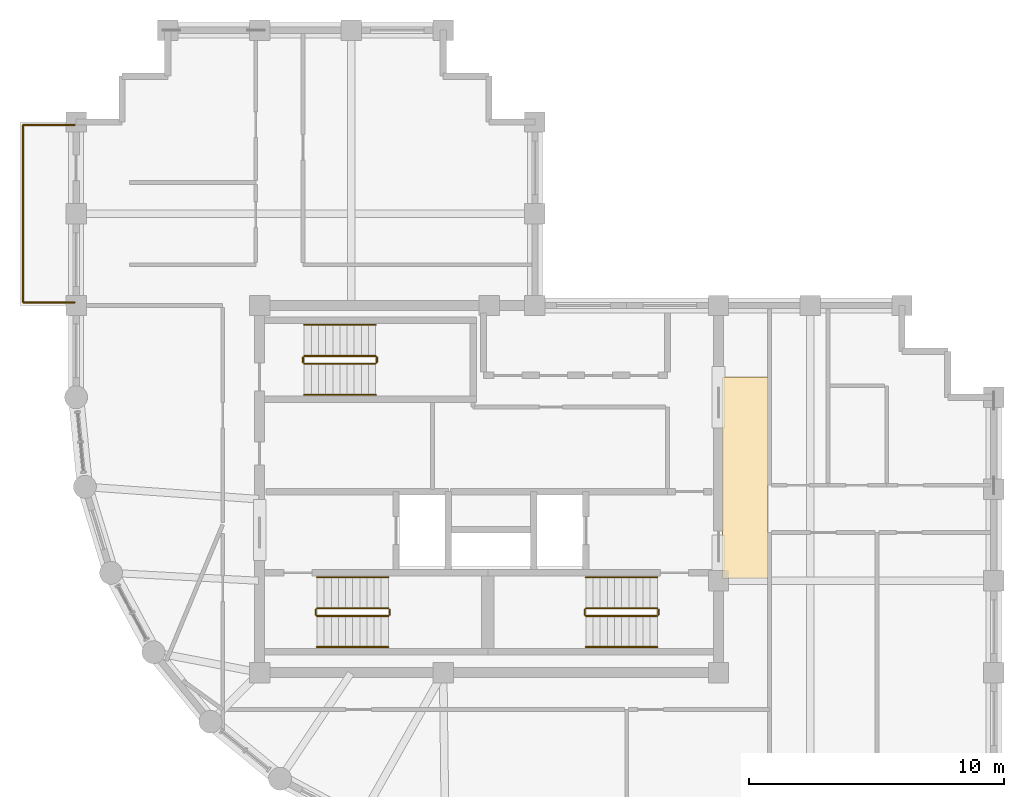
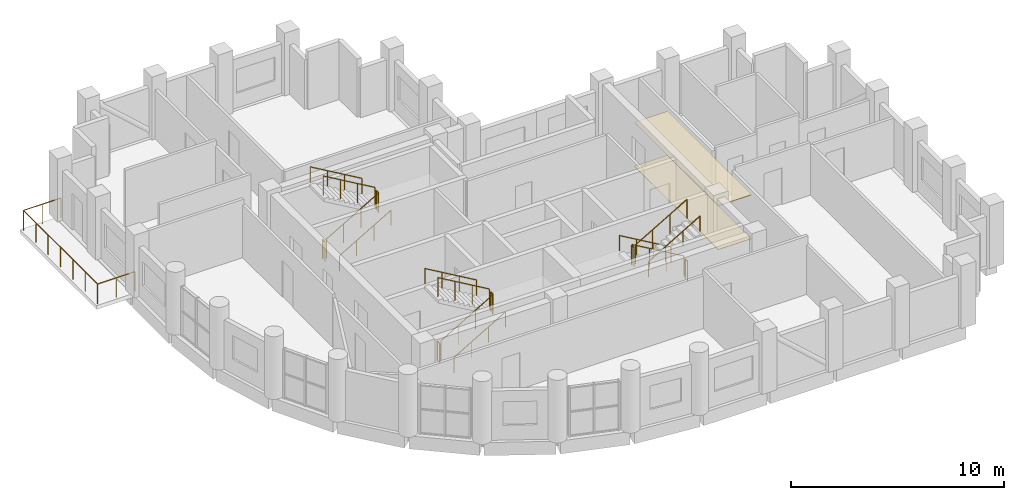
# One storey, part 11 of 11: 21 railings, 2 coverings.
"""IFC4 building model written with IfcOpenShell, lengths in metres."""

from ifc_helpers import new_model, si_unit, direction, frame, origin, origin_2d, place, context, subcontext, project, spatial, polyline, circle, outline, extrude, material, layer, layer_set, type_object, element, save


model = new_model("IFC4")

# Units and contexts
model_context = context("Model", 3, precision=1e-05, world=origin(), true_north=direction((0.0, 1.0)))
body_context = subcontext(model_context, "Body", "Model", "MODEL_VIEW")
ifc_project = project(units=[si_unit("LENGTHUNIT", "METRE"), si_unit("AREAUNIT", "SQUARE_METRE"), si_unit("VOLUMEUNIT", "CUBIC_METRE"), si_unit("PLANEANGLEUNIT", "RADIAN"), si_unit("MASSUNIT", "GRAM", prefix="KILO")], contexts=[model_context])

# Site, building, storey
site_placement = place(None, origin())
site = spatial("IfcSite", under=ifc_project, at=site_placement, CompositionType="ELEMENT")
building_placement = place(site_placement, origin())
building = spatial("IfcBuilding", under=site, at=building_placement, Name="Solnavia Interchange Tower", CompositionType="ELEMENT")
storey_placement = place(building_placement, frame((0.0, 0.0, 263.0)))
storey = spatial("IfcBuildingStorey", under=building, at=storey_placement, Name="L66", CompositionType="ELEMENT", Elevation=263.0)

# Coverings
ifc_material_1 = material(Name="Perforated Mineral-Fibre & Gypsum Ceiling", Category="gypsum")
ifc_layer_1 = layer(ifc_material_1, 0.0400390625)
ifc_layer_set_1 = layer_set([ifc_layer_1], Name="Perforated Mineral-Fibre & Gypsum Ceiling")
covering_type_1 = type_object("IfcCoveringType", Name="Covering-Ceiling-Acoustic40", PredefinedType="CEILING", material=ifc_layer_set_1)
covering_1_placement = place(storey_placement, frame((0.0, 0.0, 2.5)))
element("IfcCovering", 1, at=covering_1_placement, inside=storey, type_object=covering_type_1, Name="CLG-L66-01 Circulation suspended acoustic ceiling", PredefinedType="CEILING", context=body_context, shape_type="SweptSolid", body=[
    extrude(outline(polyline([(32.550048828125, 14.5), (34.35009765625, 14.5), (34.35009765625, 22.39990234375), (32.550048828125, 22.39990234375), (32.550048828125, 14.5)])), origin(), (0.0, 0.0, 1.0), 0.0400390625),
])
ifc_material_2 = material(Name="Engineered European Oak Flooring", Category="wood")
ifc_layer_2 = layer(ifc_material_2, 0.02001953125)
ifc_layer_set_2 = layer_set([ifc_layer_2], Name="Engineered European Oak Flooring")
covering_type_2 = type_object("IfcCoveringType", Name="Covering-Flooring-Timber20", PredefinedType="FLOORING", material=ifc_layer_set_2)
covering_2_placement = place(storey_placement, origin())
element("IfcCovering", 2, at=covering_2_placement, inside=storey, type_object=covering_type_2, Name="FLR-L66-01 Circulation floor finish", PredefinedType="FLOORING", context=body_context, shape_type="SweptSolid", body=[
    extrude(outline(polyline([(32.550048828125, 14.5), (34.35009765625, 14.5), (34.35009765625, 22.39990234375), (32.550048828125, 22.39990234375), (32.550048828125, 14.5)])), origin(), (0.0, 0.0, 1.0), 0.02001953125),
])

# Railings
ifc_material_3 = material(Name="Painted Steel Balustrade", Category="steel")
railing_type_1 = type_object("IfcRailingType", Name="Railing-StairGuard-1100", PredefinedType="GUARDRAIL", material=ifc_material_3)
railing_1_placement = place(storey_placement, frame((16.64990234375, 13.02001953125, 0.16357421875)))
element("IfcRailing", 3, at=railing_1_placement, inside=storey, type_object=railing_type_1, Name="L66 ST-1 stair guard 1", PredefinedType="GUARDRAIL", context=body_context, shape_type="SweptSolid", body=[
    extrude(circle(Radius=0.02392578125, at=origin_2d()), frame((0.0, 0.0, 1.09619140625), z_axis=(0.863360870873, 0.0, 0.504586966384), x_axis=(0.0, 1.0, 0.0)), (0.0, 0.0, 1.0), 3.2431640625),
    extrude(circle(Radius=0.02099609375, at=origin_2d()), origin(), (0.0, 0.0, 1.0), 1.072021484375),
    extrude(circle(Radius=0.02099609375, at=origin_2d()), frame((0.933349609375, 0.0, 0.54541015625)), (0.0, 0.0, 1.0), 1.072021484375),
    extrude(circle(Radius=0.02099609375, at=origin_2d()), frame((1.86669921875, 0.0, 1.091064453125)), (0.0, 0.0, 1.0), 1.072021484375),
    extrude(circle(Radius=0.02099609375, at=origin_2d()), frame((2.800048828125, 0.0, 1.636474609375)), (0.0, 0.0, 1.0), 1.072021484375),
])
railing_2_placement = place(storey_placement, frame((19.5, 13.070068359375, 1.800048828125)))
element("IfcRailing", 4, at=railing_2_placement, inside=storey, type_object=railing_type_1, Name="L66 ST-1 stair guard 2", PredefinedType="GUARDRAIL", context=body_context, shape_type="SweptSolid", body=[
    extrude(circle(Radius=0.02392578125, at=origin_2d()), frame((0.0, 0.0, 1.09619140625), z_axis=(0.0, 1.0, 0.0), x_axis=(-1.0, 0.0, 0.0)), (0.0, 0.0, 1.0), 0.199951171875),
    extrude(circle(Radius=0.02099609375, at=origin_2d()), origin(), (0.0, 0.0, 1.0), 1.072021484375),
    extrude(circle(Radius=0.02099609375, at=origin_2d()), frame((0.0, 0.199951171875, 0.0)), (0.0, 0.0, 1.0), 1.072021484375),
])
railing_3_placement = place(storey_placement, frame((19.449951171875, 13.320068359375, 1.963623046875)))
element("IfcRailing", 5, at=railing_3_placement, inside=storey, type_object=railing_type_1, Name="L66 ST-1 stair guard 3", PredefinedType="GUARDRAIL", context=body_context, shape_type="SweptSolid", body=[
    extrude(circle(Radius=0.02392578125, at=origin_2d()), frame((0.0, 0.0, 1.09619140625), z_axis=(-0.863360870873, 0.0, 0.504586966384), x_axis=(0.0, -1.0, 0.0)), (0.0, 0.0, 1.0), 3.2431640625),
    extrude(circle(Radius=0.02099609375, at=origin_2d()), origin(), (0.0, 0.0, 1.0), 1.072021484375),
    extrude(circle(Radius=0.02099609375, at=origin_2d()), frame((-0.933349609375, 0.0, 0.54541015625)), (0.0, 0.0, 1.0), 1.072021484375),
    extrude(circle(Radius=0.02099609375, at=origin_2d()), frame((-1.86669921875, 0.0, 1.091064453125)), (0.0, 0.0, 1.0), 1.072021484375),
    extrude(circle(Radius=0.02099609375, at=origin_2d()), frame((-2.800048828125, 0.0, 1.636474609375)), (0.0, 0.0, 1.0), 1.072021484375),
])
railing_4_placement = place(storey_placement, frame((16.60009765625, 13.070068359375, 0.0)))
element("IfcRailing", 6, at=railing_4_placement, inside=storey, type_object=railing_type_1, Name="L66 ST-1 stair guard 4", PredefinedType="GUARDRAIL", context=body_context, shape_type="SweptSolid", body=[
    extrude(circle(Radius=0.02392578125, at=origin_2d()), frame((0.0, 0.0, 1.09619140625), z_axis=(0.0, 1.0, 0.0), x_axis=(-1.0, 0.0, 0.0)), (0.0, 0.0, 1.0), 0.199951171875),
    extrude(circle(Radius=0.02099609375, at=origin_2d()), origin(), (0.0, 0.0, 1.0), 1.072021484375),
    extrude(circle(Radius=0.02099609375, at=origin_2d()), frame((0.0, 0.199951171875, 0.0)), (0.0, 0.0, 1.0), 1.072021484375),
])
railing_5_placement = place(storey_placement, frame((30.0, 13.320068359375, 0.16357421875)))
element("IfcRailing", 7, at=railing_5_placement, inside=storey, type_object=railing_type_1, Name="L66 ST-2 stair guard 1", PredefinedType="GUARDRAIL", context=body_context, shape_type="SweptSolid", body=[
    extrude(circle(Radius=0.02392578125, at=origin_2d()), frame((0.0, 0.0, 1.09619140625), z_axis=(-0.863360870873, 0.0, 0.504586966384), x_axis=(0.0, -1.0, 0.0)), (0.0, 0.0, 1.0), 3.2431640625),
    extrude(circle(Radius=0.02099609375, at=origin_2d()), origin(), (0.0, 0.0, 1.0), 1.072021484375),
    extrude(circle(Radius=0.02099609375, at=origin_2d()), frame((-0.933349609375, 0.0, 0.54541015625)), (0.0, 0.0, 1.0), 1.072021484375),
    extrude(circle(Radius=0.02099609375, at=origin_2d()), frame((-1.86669921875, 0.0, 1.091064453125)), (0.0, 0.0, 1.0), 1.072021484375),
    extrude(circle(Radius=0.02099609375, at=origin_2d()), frame((-2.800048828125, 0.0, 1.636474609375)), (0.0, 0.0, 1.0), 1.072021484375),
])
railing_6_placement = place(storey_placement, frame((27.14990234375, 13.27001953125, 1.800048828125)))
element("IfcRailing", 8, at=railing_6_placement, inside=storey, type_object=railing_type_1, Name="L66 ST-2 stair guard 2", PredefinedType="GUARDRAIL", context=body_context, shape_type="SweptSolid", body=[
    extrude(circle(Radius=0.02392578125, at=origin_2d()), frame((0.0, 0.0, 1.09619140625), z_axis=(0.0, -1.0, 0.0), x_axis=(1.0, 0.0, 0.0)), (0.0, 0.0, 1.0), 0.199951171875),
    extrude(circle(Radius=0.02099609375, at=origin_2d()), origin(), (0.0, 0.0, 1.0), 1.072021484375),
    extrude(circle(Radius=0.02099609375, at=origin_2d()), frame((0.0, -0.199951171875, 0.0)), (0.0, 0.0, 1.0), 1.072021484375),
])
railing_7_placement = place(storey_placement, frame((27.199951171875, 13.02001953125, 1.963623046875)))
element("IfcRailing", 9, at=railing_7_placement, inside=storey, type_object=railing_type_1, Name="L66 ST-2 stair guard 3", PredefinedType="GUARDRAIL", context=body_context, shape_type="SweptSolid", body=[
    extrude(circle(Radius=0.02392578125, at=origin_2d()), frame((0.0, 0.0, 1.09619140625), z_axis=(0.863360870873, 0.0, 0.504586966384), x_axis=(0.0, 1.0, 0.0)), (0.0, 0.0, 1.0), 3.2431640625),
    extrude(circle(Radius=0.02099609375, at=origin_2d()), origin(), (0.0, 0.0, 1.0), 1.072021484375),
    extrude(circle(Radius=0.02099609375, at=origin_2d()), frame((0.933349609375, 0.0, 0.54541015625)), (0.0, 0.0, 1.0), 1.072021484375),
    extrude(circle(Radius=0.02099609375, at=origin_2d()), frame((1.86669921875, 0.0, 1.091064453125)), (0.0, 0.0, 1.0), 1.072021484375),
    extrude(circle(Radius=0.02099609375, at=origin_2d()), frame((2.800048828125, 0.0, 1.636474609375)), (0.0, 0.0, 1.0), 1.072021484375),
])
railing_8_placement = place(storey_placement, frame((30.050048828125, 13.27001953125, 0.0)))
element("IfcRailing", 10, at=railing_8_placement, inside=storey, type_object=railing_type_1, Name="L66 ST-2 stair guard 4", PredefinedType="GUARDRAIL", context=body_context, shape_type="SweptSolid", body=[
    extrude(circle(Radius=0.02392578125, at=origin_2d()), frame((0.0, 0.0, 1.09619140625), z_axis=(0.0, -1.0, 0.0), x_axis=(1.0, 0.0, 0.0)), (0.0, 0.0, 1.0), 0.199951171875),
    extrude(circle(Radius=0.02099609375, at=origin_2d()), origin(), (0.0, 0.0, 1.0), 1.072021484375),
    extrude(circle(Radius=0.02099609375, at=origin_2d()), frame((0.0, -0.199951171875, 0.0)), (0.0, 0.0, 1.0), 1.072021484375),
])
railing_9_placement = place(storey_placement, frame((16.14990234375, 22.919921875, 0.16357421875)))
element("IfcRailing", 11, at=railing_9_placement, inside=storey, type_object=railing_type_1, Name="L66 ST-3 stair guard 1", PredefinedType="GUARDRAIL", context=body_context, shape_type="SweptSolid", body=[
    extrude(circle(Radius=0.02392578125, at=origin_2d()), frame((0.0, 0.0, 1.09619140625), z_axis=(0.863360870873, 0.0, 0.504586966384), x_axis=(0.0, 1.0, 0.0)), (0.0, 0.0, 1.0), 3.2431640625),
    extrude(circle(Radius=0.02099609375, at=origin_2d()), origin(), (0.0, 0.0, 1.0), 1.072021484375),
    extrude(circle(Radius=0.02099609375, at=origin_2d()), frame((0.933349609375, 0.0, 0.54541015625)), (0.0, 0.0, 1.0), 1.072021484375),
    extrude(circle(Radius=0.02099609375, at=origin_2d()), frame((1.86669921875, 0.0, 1.091064453125)), (0.0, 0.0, 1.0), 1.072021484375),
    extrude(circle(Radius=0.02099609375, at=origin_2d()), frame((2.800048828125, 0.0, 1.636474609375)), (0.0, 0.0, 1.0), 1.072021484375),
])
railing_10_placement = place(storey_placement, frame((19.0, 22.969970703125, 1.800048828125)))
element("IfcRailing", 12, at=railing_10_placement, inside=storey, type_object=railing_type_1, Name="L66 ST-3 stair guard 2", PredefinedType="GUARDRAIL", context=body_context, shape_type="SweptSolid", body=[
    extrude(circle(Radius=0.02392578125, at=origin_2d()), frame((0.0, 0.0, 1.09619140625), z_axis=(0.0, 1.0, 0.0), x_axis=(-1.0, 0.0, 0.0)), (0.0, 0.0, 1.0), 0.199951171875),
    extrude(circle(Radius=0.02099609375, at=origin_2d()), origin(), (0.0, 0.0, 1.0), 1.072021484375),
    extrude(circle(Radius=0.02099609375, at=origin_2d()), frame((0.0, 0.199951171875, 0.0)), (0.0, 0.0, 1.0), 1.072021484375),
])
railing_11_placement = place(storey_placement, frame((18.949951171875, 23.219970703125, 1.963623046875)))
element("IfcRailing", 13, at=railing_11_placement, inside=storey, type_object=railing_type_1, Name="L66 ST-3 stair guard 3", PredefinedType="GUARDRAIL", context=body_context, shape_type="SweptSolid", body=[
    extrude(circle(Radius=0.02392578125, at=origin_2d()), frame((0.0, 0.0, 1.09619140625), z_axis=(-0.863360870873, 0.0, 0.504586966384), x_axis=(0.0, -1.0, 0.0)), (0.0, 0.0, 1.0), 3.2431640625),
    extrude(circle(Radius=0.02099609375, at=origin_2d()), origin(), (0.0, 0.0, 1.0), 1.072021484375),
    extrude(circle(Radius=0.02099609375, at=origin_2d()), frame((-0.933349609375, 0.0, 0.54541015625)), (0.0, 0.0, 1.0), 1.072021484375),
    extrude(circle(Radius=0.02099609375, at=origin_2d()), frame((-1.86669921875, 0.0, 1.091064453125)), (0.0, 0.0, 1.0), 1.072021484375),
    extrude(circle(Radius=0.02099609375, at=origin_2d()), frame((-2.800048828125, 0.0, 1.636474609375)), (0.0, 0.0, 1.0), 1.072021484375),
])
railing_12_placement = place(storey_placement, frame((16.10009765625, 22.969970703125, 0.0)))
element("IfcRailing", 14, at=railing_12_placement, inside=storey, type_object=railing_type_1, Name="L66 ST-3 stair guard 4", PredefinedType="GUARDRAIL", context=body_context, shape_type="SweptSolid", body=[
    extrude(circle(Radius=0.02392578125, at=origin_2d()), frame((0.0, 0.0, 1.09619140625), z_axis=(0.0, 1.0, 0.0), x_axis=(-1.0, 0.0, 0.0)), (0.0, 0.0, 1.0), 0.199951171875),
    extrude(circle(Radius=0.02099609375, at=origin_2d()), origin(), (0.0, 0.0, 1.0), 1.072021484375),
    extrude(circle(Radius=0.02099609375, at=origin_2d()), frame((0.0, 0.199951171875, 0.0)), (0.0, 0.0, 1.0), 1.072021484375),
])
ifc_material_4 = material(Name="Brushed Stainless Steel", Category="steel")
railing_type_2 = type_object("IfcRailingType", Name="Railing-StairHandrail-900", PredefinedType="HANDRAIL", material=ifc_material_4)
railing_13_placement = place(storey_placement, frame((16.64990234375, 11.800048828125, 0.16357421875)))
element("IfcRailing", 15, at=railing_13_placement, inside=storey, type_object=railing_type_2, Name="L66 ST-1 stair handrail 1", PredefinedType="HANDRAIL", context=body_context, shape_type="SweptSolid", body=[
    extrude(circle(Radius=0.02392578125, at=origin_2d()), frame((0.0, 0.0, 0.8759765625), z_axis=(0.863360870873, 0.0, 0.504586966384), x_axis=(0.0, 1.0, 0.0)), (0.0, 0.0, 1.0), 3.2431640625),
    extrude(circle(Radius=0.02099609375, at=origin_2d()), origin(), (0.0, 0.0, 1.0), 0.851806640625),
    extrude(circle(Radius=0.02099609375, at=origin_2d()), frame((0.933349609375, 0.0, 0.54541015625)), (0.0, 0.0, 1.0), 0.851806640625),
    extrude(circle(Radius=0.02099609375, at=origin_2d()), frame((1.86669921875, 0.0, 1.091064453125)), (0.0, 0.0, 1.0), 0.851806640625),
    extrude(circle(Radius=0.02099609375, at=origin_2d()), frame((2.800048828125, 0.0, 1.636474609375)), (0.0, 0.0, 1.0), 0.851806640625),
])
for number, where, name in (
    (16, (19.449951171875, 14.5400390625, 1.963623046875), "L66 ST-1 stair handrail 2"),
    (17, (30.0, 14.5400390625, 0.16357421875), "L66 ST-2 stair handrail 1"),
):
    element("IfcRailing", number, at=place(storey_placement, frame(where)), inside=storey, type_object=railing_type_2, Name=name, PredefinedType="HANDRAIL", context=body_context, shape_type="SweptSolid", body=[
        extrude(circle(Radius=0.02392578125, at=origin_2d()), frame((0.0, 0.0, 0.8759765625), z_axis=(-0.863360870873, 0.0, 0.504586966384), x_axis=(0.0, -1.0, 0.0)), (0.0, 0.0, 1.0), 3.2431640625),
        extrude(circle(Radius=0.02099609375, at=origin_2d()), origin(), (0.0, 0.0, 1.0), 0.851806640625),
        extrude(circle(Radius=0.02099609375, at=origin_2d()), frame((-0.933349609375, 0.0, 0.54541015625)), (0.0, 0.0, 1.0), 0.851806640625),
        extrude(circle(Radius=0.02099609375, at=origin_2d()), frame((-1.86669921875, 0.0, 1.091064453125)), (0.0, 0.0, 1.0), 0.851806640625),
        extrude(circle(Radius=0.02099609375, at=origin_2d()), frame((-2.800048828125, 0.0, 1.636474609375)), (0.0, 0.0, 1.0), 0.851806640625),
    ])
for number, where, name in (
    (18, (27.199951171875, 11.800048828125, 1.963623046875), "L66 ST-2 stair handrail 2"),
    (19, (16.14990234375, 21.699951171875, 0.16357421875), "L66 ST-3 stair handrail 1"),
):
    element("IfcRailing", number, at=place(storey_placement, frame(where)), inside=storey, type_object=railing_type_2, Name=name, PredefinedType="HANDRAIL", context=body_context, shape_type="SweptSolid", body=[
        extrude(circle(Radius=0.02392578125, at=origin_2d()), frame((0.0, 0.0, 0.8759765625), z_axis=(0.863360870873, 0.0, 0.504586966384), x_axis=(0.0, 1.0, 0.0)), (0.0, 0.0, 1.0), 3.2431640625),
        extrude(circle(Radius=0.02099609375, at=origin_2d()), origin(), (0.0, 0.0, 1.0), 0.851806640625),
        extrude(circle(Radius=0.02099609375, at=origin_2d()), frame((0.933349609375, 0.0, 0.54541015625)), (0.0, 0.0, 1.0), 0.851806640625),
        extrude(circle(Radius=0.02099609375, at=origin_2d()), frame((1.86669921875, 0.0, 1.091064453125)), (0.0, 0.0, 1.0), 0.851806640625),
        extrude(circle(Radius=0.02099609375, at=origin_2d()), frame((2.800048828125, 0.0, 1.636474609375)), (0.0, 0.0, 1.0), 0.851806640625),
    ])
railing_14_placement = place(storey_placement, frame((18.949951171875, 24.43994140625, 1.963623046875)))
element("IfcRailing", 20, at=railing_14_placement, inside=storey, type_object=railing_type_2, Name="L66 ST-3 stair handrail 2", PredefinedType="HANDRAIL", context=body_context, shape_type="SweptSolid", body=[
    extrude(circle(Radius=0.02392578125, at=origin_2d()), frame((0.0, 0.0, 0.8759765625), z_axis=(-0.863360870873, 0.0, 0.504586966384), x_axis=(0.0, -1.0, 0.0)), (0.0, 0.0, 1.0), 3.2431640625),
    extrude(circle(Radius=0.02099609375, at=origin_2d()), origin(), (0.0, 0.0, 1.0), 0.851806640625),
    extrude(circle(Radius=0.02099609375, at=origin_2d()), frame((-0.933349609375, 0.0, 0.54541015625)), (0.0, 0.0, 1.0), 0.851806640625),
    extrude(circle(Radius=0.02099609375, at=origin_2d()), frame((-1.86669921875, 0.0, 1.091064453125)), (0.0, 0.0, 1.0), 0.851806640625),
    extrude(circle(Radius=0.02099609375, at=origin_2d()), frame((-2.800048828125, 0.0, 1.636474609375)), (0.0, 0.0, 1.0), 0.851806640625),
])
ifc_material_5 = material(Name="Laminated Safety Glass & Stainless Steel", Category="steel")
railing_type_3 = type_object("IfcRailingType", Name="Railing-TerraceGuard-1150", PredefinedType="GUARDRAIL", material=ifc_material_5)
railing_15_placement = place(storey_placement, frame((7.14990234375, 25.320068359375, -0.0400390625)))
element("IfcRailing", 21, at=railing_15_placement, inside=storey, type_object=railing_type_3, Name="GRD-L66-TER-01 Perimeter terrace guardrail", PredefinedType="GUARDRAIL", context=body_context, shape_type="SweptSolid", body=[
    extrude(circle(Radius=0.02392578125, at=origin_2d()), frame((0.0, 0.0, 1.1259765625), z_axis=(-1.0, 0.0, 0.0), x_axis=(0.0, -1.0, 0.0)), (0.0, 0.0, 1.0), 2.02978515625),
    extrude(circle(Radius=0.02099609375, at=origin_2d()), origin(), (0.0, 0.0, 1.0), 1.101806640625),
    extrude(circle(Radius=0.02099609375, at=origin_2d()), frame((-1.014892578125, 0.0, 0.0)), (0.0, 0.0, 1.0), 1.101806640625),
    extrude(circle(Radius=0.02099609375, at=origin_2d()), frame((-2.02978515625, 0.0, 0.0)), (0.0, 0.0, 1.0), 1.101806640625),
])
railing_16_placement = place(storey_placement, frame((5.1201171875, 25.320068359375, -0.0400390625)))
element("IfcRailing", 22, at=railing_16_placement, inside=storey, type_object=railing_type_3, Name="GRD-L66-TER-02 Perimeter terrace guardrail", PredefinedType="GUARDRAIL", context=body_context, shape_type="SweptSolid", body=[
    extrude(circle(Radius=0.02392578125, at=origin_2d()), frame((0.0, 0.0, 1.1259765625), z_axis=(0.0, 1.0, 0.0), x_axis=(-1.0, 0.0, 0.0)), (0.0, 0.0, 1.0), 6.9599609375),
    extrude(circle(Radius=0.02099609375, at=origin_2d()), origin(), (0.0, 0.0, 1.0), 1.101806640625),
    extrude(circle(Radius=0.02099609375, at=origin_2d()), frame((0.0, 1.159912109375, 0.0)), (0.0, 0.0, 1.0), 1.101806640625),
    extrude(circle(Radius=0.02099609375, at=origin_2d()), frame((0.0, 2.320068359375, 0.0)), (0.0, 0.0, 1.0), 1.101806640625),
    extrude(circle(Radius=0.02099609375, at=origin_2d()), frame((0.0, 3.47998046875, 0.0)), (0.0, 0.0, 1.0), 1.101806640625),
    extrude(circle(Radius=0.02099609375, at=origin_2d()), frame((0.0, 4.639892578125, 0.0)), (0.0, 0.0, 1.0), 1.101806640625),
    extrude(circle(Radius=0.02099609375, at=origin_2d()), frame((0.0, 5.800048828125, 0.0)), (0.0, 0.0, 1.0), 1.101806640625),
    extrude(circle(Radius=0.02099609375, at=origin_2d()), frame((0.0, 6.9599609375, 0.0)), (0.0, 0.0, 1.0), 1.101806640625),
])
railing_17_placement = place(storey_placement, frame((5.1201171875, 32.280029296875, -0.0400390625)))
element("IfcRailing", 23, at=railing_17_placement, inside=storey, type_object=railing_type_3, Name="GRD-L66-TER-03 Perimeter terrace guardrail", PredefinedType="GUARDRAIL", context=body_context, shape_type="SweptSolid", body=[
    extrude(circle(Radius=0.02392578125, at=origin_2d()), frame((0.0, 0.0, 1.1259765625), z_axis=(1.0, 0.0, 0.0), x_axis=(0.0, 1.0, 0.0)), (0.0, 0.0, 1.0), 2.02978515625),
    extrude(circle(Radius=0.02099609375, at=origin_2d()), origin(), (0.0, 0.0, 1.0), 1.101806640625),
    extrude(circle(Radius=0.02099609375, at=origin_2d()), frame((1.014892578125, 0.0, 0.0)), (0.0, 0.0, 1.0), 1.101806640625),
    extrude(circle(Radius=0.02099609375, at=origin_2d()), frame((2.02978515625, 0.0, 0.0)), (0.0, 0.0, 1.0), 1.101806640625),
])

save(model, "model.ifc")
